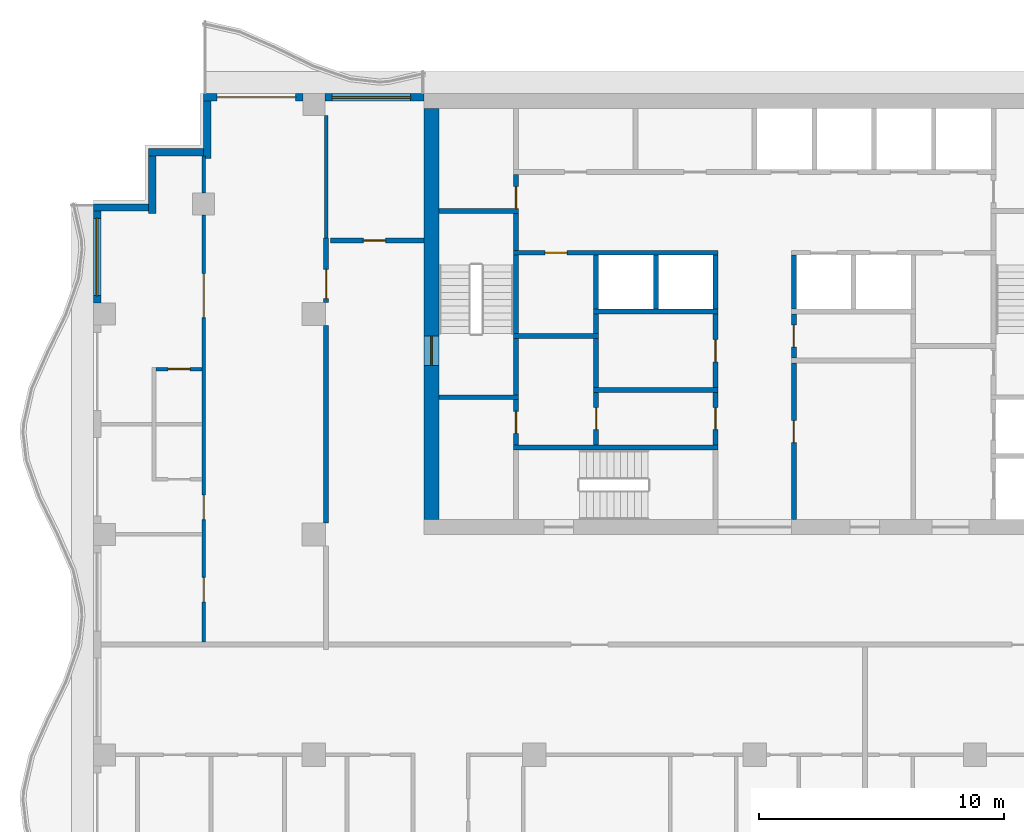
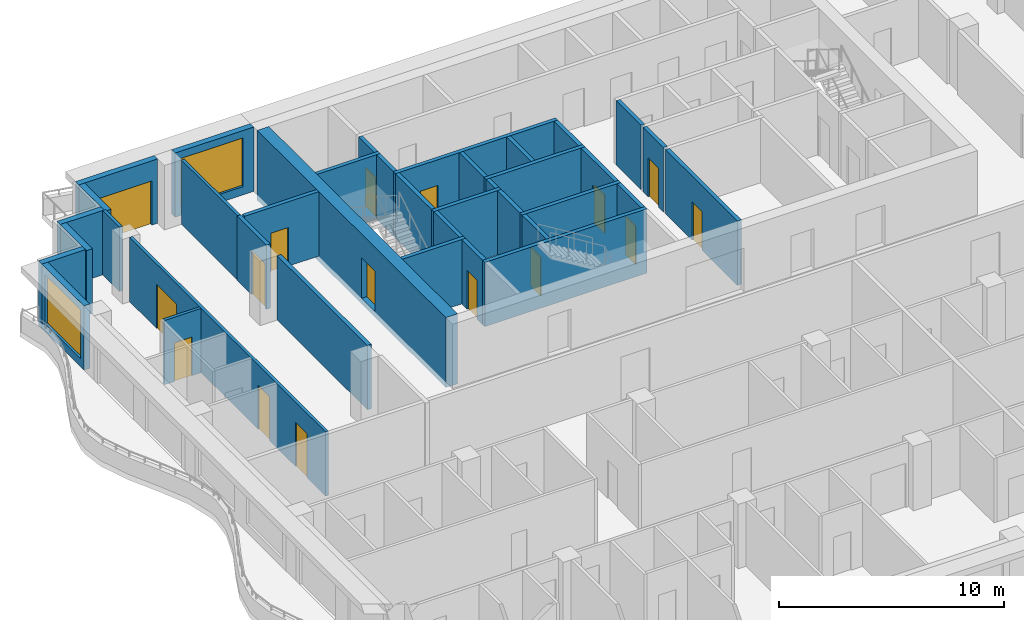
# One storey, part 5 of 11: 38 walls, 16 doors, 2 windows, 18 openings.
"""IFC4 building model written with IfcOpenShell, lengths in metres."""

from ifc_helpers import new_model, si_unit, direction, frame, frame_2d, origin, place, context, subcontext, project, spatial, rectangle, extrude, material, layer, layer_set, type_object, element, fill, save


model = new_model("IFC4")

# Units and contexts
model_context = context("Model", 3, precision=1e-05, world=origin(), true_north=direction((0.0, 1.0)))
body_context = subcontext(model_context, "Body", "Model", "MODEL_VIEW")
ifc_project = project(units=[si_unit("LENGTHUNIT", "METRE"), si_unit("AREAUNIT", "SQUARE_METRE"), si_unit("VOLUMEUNIT", "CUBIC_METRE"), si_unit("PLANEANGLEUNIT", "RADIAN"), si_unit("MASSUNIT", "GRAM", prefix="KILO")], contexts=[model_context])

# Site, building, storey
site_placement = place(None, origin())
site = spatial("IfcSite", under=ifc_project, at=site_placement, CompositionType="ELEMENT")
building_placement = place(site_placement, origin())
building = spatial("IfcBuilding", under=site, at=building_placement, Name="Orbiselva Terraces", CompositionType="ELEMENT")
storey_placement = place(building_placement, frame((0.0, 0.0, 261.6)))
storey = spatial("IfcBuildingStorey", under=building, at=storey_placement, Name="L66", CompositionType="ELEMENT", Elevation=261.6)

# Wall, opening, door
ifc_material_1 = material(Name="Concrete C80/95", Category="concrete")
ifc_layer_1 = layer(ifc_material_1, 0.6)
ifc_layer_set_1 = layer_set([ifc_layer_1], Name="Concrete C80/95")
wall_type_1 = type_object("IfcWallType", Name="CORE WALL 600", PredefinedType="SHEAR", material=ifc_layer_set_1)
wall_1_placement = place(storey_placement, frame((-13.2, 21.9, -0.3), z_axis=(0.0, 0.0, 1.0), x_axis=(0.0, -1.0, 0.0)))
wall_1 = element("IfcWall", 1, at=wall_1_placement, inside=storey, type_object=wall_type_1, Name="Core wall L66 west", PredefinedType="SHEAR", context=body_context, shape_type="SweptSolid", body=[
    extrude(rectangle(XDim=16.8, YDim=0.6, at=frame_2d((8.4, 0.0))), origin(), (0.0, 0.0, 1.0), 3.8),
])
opening_1_placement = place(wall_1_placement, frame((9.3, 0.0, 0.3)))
opening_1 = element("IfcOpeningElement", 2, at=opening_1_placement, cuts=wall_1, Name="Opening DS1200", PredefinedType="OPENING", context=body_context, shape_type="SweptSolid", body=[
    extrude(rectangle(XDim=1.2, YDim=2.2, at=frame_2d((0.6, 1.1))), frame((0.0, 0.31, 0.0), z_axis=(0.0, -1.0, 0.0), x_axis=(1.0, 0.0, 0.0)), (0.0, 0.0, 1.0), 0.62),
])
ifc_material_2 = material(Name="Steel fire door", Category="steel")
door_type_1 = type_object("IfcDoorType", Name="STAIR DOOR 1200", OperationType="NOTDEFINED", PredefinedType="DOOR", material=ifc_material_2)
door_1_placement = place(opening_1_placement, frame((1.2, 0.0, 0.0), z_axis=(0.0, 0.0, 1.0), x_axis=(-1.0, 0.0, 0.0)))
door_1 = element("IfcDoor", 3, at=door_1_placement, inside=storey, type_object=door_type_1, Name="L66 EXIT STAIR S1 door", OperationType="SINGLE_SWING_RIGHT", OverallHeight=2.2, OverallWidth=1.2, PredefinedType="DOOR", context=body_context, shape_type="SweptSolid", body=[
    extrude(rectangle(XDim=1.2, YDim=2.2, at=frame_2d((0.6, 1.1))), frame((0.0, 0.025, 0.0), z_axis=(0.0, -1.0, 0.0), x_axis=(1.0, 0.0, 0.0)), (0.0, 0.0, 1.0), 0.05),
])
fill(opening_1, door_1)

ifc_material_3 = material(Name="Masonry blockwork", Category="masonry")
ifc_layer_2 = layer(ifc_material_3, 0.2)
ifc_layer_set_2 = layer_set([ifc_layer_2], Name="Masonry blockwork")
wall_type_2 = type_object("IfcWallType", Name="CORE-WALL-PARTITION-200", PredefinedType="PARTITIONING", material=ifc_layer_set_2)
wall_2_placement = place(storey_placement, frame((-9.75, 8.15, 0.0), z_axis=(0.0, 0.0, 1.0), x_axis=(0.0, 1.0, 0.0)))
wall_2 = element("IfcWall", 4, at=wall_2_placement, inside=storey, type_object=wall_type_2, Name="L66 core wall 05", PredefinedType="PARTITIONING", context=body_context, shape_type="SweptSolid", body=[
    extrude(rectangle(XDim=1.85, YDim=0.2, at=frame_2d((0.925, 0.0))), origin(), (0.0, 0.0, 1.0), 3.5),
])
opening_2_placement = place(wall_2_placement, frame((0.475, 0.0, 0.0)))
opening_2 = element("IfcOpeningElement", 5, at=opening_2_placement, cuts=wall_2, Name="Opening DR900", PredefinedType="OPENING", context=body_context, shape_type="SweptSolid", body=[
    extrude(rectangle(XDim=0.9, YDim=2.1, at=frame_2d((0.45, 1.05))), frame((0.0, 0.11, 0.0), z_axis=(0.0, -1.0, 0.0), x_axis=(1.0, 0.0, 0.0)), (0.0, 0.0, 1.0), 0.22),
])
door_type_2 = type_object("IfcDoorType", Name="ROOM DOOR 900", OperationType="NOTDEFINED", PredefinedType="DOOR", material=ifc_material_2)
door_2_placement = place(opening_2_placement, origin())
door_2 = element("IfcDoor", 6, at=door_2_placement, inside=storey, type_object=door_type_2, Name="L66 CLEANERS STORE door", OperationType="SINGLE_SWING_RIGHT", OverallHeight=2.1, OverallWidth=0.9, PredefinedType="DOOR", context=body_context, shape_type="SweptSolid", body=[
    extrude(rectangle(XDim=0.9, YDim=2.1, at=frame_2d((0.45, 1.05))), frame((0.0, 0.025, 0.0), z_axis=(0.0, -1.0, 0.0), x_axis=(1.0, 0.0, 0.0)), (0.0, 0.0, 1.0), 0.05),
])
fill(opening_2, door_2)

wall_3_placement = place(storey_placement, frame((-9.75, 17.8, 0.0), z_axis=(0.0, 0.0, 1.0), x_axis=(0.0, 1.0, 0.0)))
wall_3 = element("IfcWall", 7, at=wall_3_placement, inside=storey, type_object=wall_type_2, Name="L66 core wall 11", PredefinedType="PARTITIONING", context=body_context, shape_type="SweptSolid", body=[
    extrude(rectangle(XDim=1.4, YDim=0.2, at=frame_2d((0.7, 0.0))), origin(), (0.0, 0.0, 1.0), 3.5),
])
opening_3_placement = place(wall_3_placement, origin())
opening_3 = element("IfcOpeningElement", 8, at=opening_3_placement, cuts=wall_3, Name="Opening DR900", PredefinedType="OPENING", context=body_context, shape_type="SweptSolid", body=[
    extrude(rectangle(XDim=0.9, YDim=2.1, at=frame_2d((0.45, 1.05))), frame((0.0, 0.11, 0.0), z_axis=(0.0, -1.0, 0.0), x_axis=(1.0, 0.0, 0.0)), (0.0, 0.0, 1.0), 0.22),
])
door_3_placement = place(opening_3_placement, origin())
door_3 = element("IfcDoor", 9, at=door_3_placement, inside=storey, type_object=door_type_2, Name="L66 COMMS RISER ROOM door", OperationType="SINGLE_SWING_LEFT", OverallHeight=2.1, OverallWidth=0.9, PredefinedType="DOOR", context=body_context, shape_type="SweptSolid", body=[
    extrude(rectangle(XDim=0.9, YDim=2.1, at=frame_2d((0.45, 1.05))), frame((0.0, 0.025, 0.0), z_axis=(0.0, -1.0, 0.0), x_axis=(1.0, 0.0, 0.0)), (0.0, 0.0, 1.0), 0.05),
])
fill(opening_3, door_3)

wall_4_placement = place(storey_placement, frame((-6.475, 8.15, 0.0), z_axis=(0.0, 0.0, 1.0), x_axis=(0.0, 1.0, 0.0)))
wall_4 = element("IfcWall", 10, at=wall_4_placement, inside=storey, type_object=wall_type_2, Name="L66 core wall 14", PredefinedType="PARTITIONING", context=body_context, shape_type="SweptSolid", body=[
    extrude(rectangle(XDim=2.15, YDim=0.2, at=frame_2d((1.075, 0.0))), origin(), (0.0, 0.0, 1.0), 3.5),
])
opening_4_placement = place(wall_4_placement, frame((0.625, 0.0, 0.0)))
opening_4 = element("IfcOpeningElement", 11, at=opening_4_placement, cuts=wall_4, Name="Opening DR900", PredefinedType="OPENING", context=body_context, shape_type="SweptSolid", body=[
    extrude(rectangle(XDim=0.9, YDim=2.1, at=frame_2d((0.45, 1.05))), frame((0.0, 0.11, 0.0), z_axis=(0.0, -1.0, 0.0), x_axis=(1.0, 0.0, 0.0)), (0.0, 0.0, 1.0), 0.22),
])
door_4_placement = place(opening_4_placement, origin())
door_4 = element("IfcDoor", 12, at=door_4_placement, inside=storey, type_object=door_type_2, Name="L66 STAFF ROOM door", OperationType="SINGLE_SWING_LEFT", OverallHeight=2.1, OverallWidth=0.9, PredefinedType="DOOR", context=body_context, shape_type="SweptSolid", body=[
    extrude(rectangle(XDim=0.9, YDim=2.1, at=frame_2d((0.45, 1.05))), frame((0.0, 0.025, 0.0), z_axis=(0.0, -1.0, 0.0), x_axis=(1.0, 0.0, 0.0)), (0.0, 0.0, 1.0), 0.05),
])
fill(opening_4, door_4)

# Walls
wall_5_placement = place(storey_placement, frame((-6.475, 10.5, 0.0), z_axis=(0.0, 0.0, 1.0), x_axis=(0.0, 1.0, 0.0)))
element("IfcWall", 13, at=wall_5_placement, inside=storey, type_object=wall_type_2, Name="L66 core wall 16", PredefinedType="PARTITIONING", context=body_context, shape_type="SweptSolid", body=[
    extrude(rectangle(XDim=2.0, YDim=0.2, at=frame_2d((1.0, 0.0))), origin(), (0.0, 0.0, 1.0), 3.5),
])
wall_6_placement = place(storey_placement, frame((-6.475, 12.7, 0.0), z_axis=(0.0, 0.0, 1.0), x_axis=(0.0, 1.0, 0.0)))
element("IfcWall", 14, at=wall_6_placement, inside=storey, type_object=wall_type_2, Name="L66 core wall 17", PredefinedType="PARTITIONING", context=body_context, shape_type="SweptSolid", body=[
    extrude(rectangle(XDim=0.8, YDim=0.2, at=frame_2d((0.4, 0.0))), origin(), (0.0, 0.0, 1.0), 3.5),
])

# Wall, opening, door
wall_7_placement = place(storey_placement, frame((-1.6, 8.15, 0.0), z_axis=(0.0, 0.0, 1.0), x_axis=(0.0, 1.0, 0.0)))
wall_7 = element("IfcWall", 15, at=wall_7_placement, inside=storey, type_object=wall_type_2, Name="L66 core wall 23", PredefinedType="PARTITIONING", context=body_context, shape_type="SweptSolid", body=[
    extrude(rectangle(XDim=2.15, YDim=0.2, at=frame_2d((1.075, 0.0))), origin(), (0.0, 0.0, 1.0), 3.5),
])
opening_5_placement = place(wall_7_placement, frame((0.625, 0.0, 0.0)))
opening_5 = element("IfcOpeningElement", 16, at=opening_5_placement, cuts=wall_7, Name="Opening DR900", PredefinedType="OPENING", context=body_context, shape_type="SweptSolid", body=[
    extrude(rectangle(XDim=0.9, YDim=2.1, at=frame_2d((0.45, 1.05))), frame((0.0, 0.11, 0.0), z_axis=(0.0, -1.0, 0.0), x_axis=(1.0, 0.0, 0.0)), (0.0, 0.0, 1.0), 0.22),
])
door_5_placement = place(opening_5_placement, origin())
door_5 = element("IfcDoor", 17, at=door_5_placement, inside=storey, type_object=door_type_2, Name="L66 SERVICE PANTRY door", OperationType="SINGLE_SWING_LEFT", OverallHeight=2.1, OverallWidth=0.9, PredefinedType="DOOR", context=body_context, shape_type="SweptSolid", body=[
    extrude(rectangle(XDim=0.9, YDim=2.1, at=frame_2d((0.45, 1.05))), frame((0.0, 0.025, 0.0), z_axis=(0.0, -1.0, 0.0), x_axis=(1.0, 0.0, 0.0)), (0.0, 0.0, 1.0), 0.05),
])
fill(opening_5, door_5)

wall_8_placement = place(storey_placement, frame((-1.6, 10.5, 0.0), z_axis=(0.0, 0.0, 1.0), x_axis=(0.0, 1.0, 0.0)))
wall_8 = element("IfcWall", 18, at=wall_8_placement, inside=storey, type_object=wall_type_2, Name="L66 core wall 24", PredefinedType="PARTITIONING", context=body_context, shape_type="SweptSolid", body=[
    extrude(rectangle(XDim=3.0, YDim=0.2, at=frame_2d((1.5, 0.0))), origin(), (0.0, 0.0, 1.0), 3.5),
])
opening_6_placement = place(wall_8_placement, frame((1.05, 0.0, 0.0)))
opening_6 = element("IfcOpeningElement", 19, at=opening_6_placement, cuts=wall_8, Name="Opening DR900", PredefinedType="OPENING", context=body_context, shape_type="SweptSolid", body=[
    extrude(rectangle(XDim=0.9, YDim=2.1, at=frame_2d((0.45, 1.05))), frame((0.0, 0.11, 0.0), z_axis=(0.0, -1.0, 0.0), x_axis=(1.0, 0.0, 0.0)), (0.0, 0.0, 1.0), 0.22),
])
door_6_placement = place(opening_6_placement, origin())
door_6 = element("IfcDoor", 20, at=door_6_placement, inside=storey, type_object=door_type_2, Name="L66 LINEN STORE door", OperationType="SINGLE_SWING_RIGHT", OverallHeight=2.1, OverallWidth=0.9, PredefinedType="DOOR", context=body_context, shape_type="SweptSolid", body=[
    extrude(rectangle(XDim=0.9, YDim=2.1, at=frame_2d((0.45, 1.05))), frame((0.0, 0.025, 0.0), z_axis=(0.0, -1.0, 0.0), x_axis=(1.0, 0.0, 0.0)), (0.0, 0.0, 1.0), 0.05),
])
fill(opening_6, door_6)

wall_9_placement = place(storey_placement, frame((1.6, 13.5, 0.0), z_axis=(0.0, 0.0, 1.0), x_axis=(0.0, -1.0, 0.0)))
wall_9 = element("IfcWall", 21, at=wall_9_placement, inside=storey, type_object=wall_type_2, Name="L66 core wall 29", PredefinedType="PARTITIONING", context=body_context, shape_type="SweptSolid", body=[
    extrude(rectangle(XDim=1.8, YDim=0.2, at=frame_2d((0.9, 0.0))), origin(), (0.0, 0.0, 1.0), 3.5),
])
opening_7_placement = place(wall_9_placement, frame((0.45, 0.0, 0.0)))
opening_7 = element("IfcOpeningElement", 22, at=opening_7_placement, cuts=wall_9, Name="Opening DR900", PredefinedType="OPENING", context=body_context, shape_type="SweptSolid", body=[
    extrude(rectangle(XDim=0.9, YDim=2.1, at=frame_2d((0.45, 1.05))), frame((0.0, 0.11, 0.0), z_axis=(0.0, -1.0, 0.0), x_axis=(1.0, 0.0, 0.0)), (0.0, 0.0, 1.0), 0.22),
])
door_7_placement = place(opening_7_placement, origin())
door_7 = element("IfcDoor", 23, at=door_7_placement, inside=storey, type_object=door_type_2, Name="L66 IT ROOM door", OperationType="SINGLE_SWING_LEFT", OverallHeight=2.1, OverallWidth=0.9, PredefinedType="DOOR", context=body_context, shape_type="SweptSolid", body=[
    extrude(rectangle(XDim=0.9, YDim=2.1, at=frame_2d((0.45, 1.05))), frame((0.0, 0.025, 0.0), z_axis=(0.0, -1.0, 0.0), x_axis=(1.0, 0.0, 0.0)), (0.0, 0.0, 1.0), 0.05),
])
fill(opening_7, door_7)

# Walls
ifc_material_4 = material(Name="Concrete C40/50", Category="concrete")
ifc_layer_3 = layer(ifc_material_4, 0.2)
ifc_layer_set_3 = layer_set([ifc_layer_3], Name="Concrete C40/50")
wall_type_3 = type_object("IfcWallType", Name="CORE-WALL-SHAFT-200", PredefinedType="PARTITIONING", material=ifc_layer_set_3)
for number, where, z_axis, x_axis, name in (
    (24, (-6.475, 13.7, 0.0), (0.0, 0.0, 1.0), (0.0, 1.0, 0.0), "L66 core wall 19"),
    (25, (-4.0375, 13.7, 0.0), (0.0, 0.0, 1.0), (0.0, 1.0, 0.0), "L66 core wall 21"),
    (26, (-1.6, 13.7, 0.0), (0.0, 0.0, 1.0), (0.0, 1.0, 0.0), "L66 core wall 25"),
    (27, (1.6, 13.7, 0.0), (0.0, 0.0, 1.0), (0.0, 1.0, 0.0), "L66 core wall 31"),
):
    element("IfcWall", number, at=place(storey_placement, frame(where, z_axis=z_axis, x_axis=x_axis)), inside=storey, type_object=wall_type_3, Name=name, PredefinedType="PARTITIONING", context=body_context, shape_type="SweptSolid", body=[
        extrude(rectangle(XDim=2.2, YDim=0.2, at=frame_2d((1.1, 0.0))), origin(), (0.0, 0.0, 1.0), 3.5),
    ])
ifc_material_5 = material(Name="Concrete C60/75", Category="concrete")
ifc_layer_4 = layer(ifc_material_5, 0.2)
ifc_layer_set_4 = layer_set([ifc_layer_4], Name="Concrete C60/75")
wall_type_4 = type_object("IfcWallType", Name="CORE-WALL-SHEAR-200", PredefinedType="SHEAR", material=ifc_layer_set_4)
for number, where, z_axis, x_axis, name in (
    (28, (-12.9, 10.1, 0.0), (0.0, 0.0, 1.0), (1.0, 0.0, 0.0), "L66 core wall 01"),
    (29, (-12.9, 17.7, 0.0), (0.0, 0.0, 1.0), (1.0, 0.0, 0.0), "L66 core wall 02"),
):
    element("IfcWall", number, at=place(storey_placement, frame(where, z_axis=z_axis, x_axis=x_axis)), inside=storey, type_object=wall_type_4, Name=name, PredefinedType="SHEAR", context=body_context, shape_type="SweptSolid", body=[
        extrude(rectangle(XDim=3.25, YDim=0.2, at=frame_2d((1.625, 0.0))), origin(), (0.0, 0.0, 1.0), 3.5),
    ])
wall_10_placement = place(storey_placement, frame((-9.85, 8.05, 0.0), z_axis=(0.0, 0.0, 1.0), x_axis=(1.0, 0.0, 0.0)))
element("IfcWall", 30, at=wall_10_placement, inside=storey, type_object=wall_type_4, Name="L66 core wall 04", PredefinedType="SHEAR", context=body_context, shape_type="SweptSolid", body=[
    extrude(rectangle(XDim=8.35, YDim=0.2, at=frame_2d((4.175, 0.0))), origin(), (0.0, 0.0, 1.0), 3.5),
])
wall_11_placement = place(storey_placement, frame((-9.75, 10.2, 0.0), z_axis=(0.0, 0.0, 1.0), x_axis=(0.0, 1.0, 0.0)))
element("IfcWall", 31, at=wall_11_placement, inside=storey, type_object=wall_type_4, Name="L66 core wall 06", PredefinedType="SHEAR", context=body_context, shape_type="SweptSolid", body=[
    extrude(rectangle(XDim=2.3, YDim=0.2, at=frame_2d((1.15, 0.0))), origin(), (0.0, 0.0, 1.0), 3.5),
])
wall_12_placement = place(storey_placement, frame((-9.85, 12.6, 0.0), z_axis=(0.0, 0.0, 1.0), x_axis=(1.0, 0.0, 0.0)))
element("IfcWall", 32, at=wall_12_placement, inside=storey, type_object=wall_type_4, Name="L66 core wall 07", PredefinedType="SHEAR", context=body_context, shape_type="SweptSolid", body=[
    extrude(rectangle(XDim=3.475, YDim=0.2, at=frame_2d((1.7375, 0.0))), origin(), (0.0, 0.0, 1.0), 3.5),
])
wall_13_placement = place(storey_placement, frame((-9.75, 12.7, 0.0), z_axis=(0.0, 0.0, 1.0), x_axis=(0.0, 1.0, 0.0)))
element("IfcWall", 33, at=wall_13_placement, inside=storey, type_object=wall_type_4, Name="L66 core wall 08", PredefinedType="SHEAR", context=body_context, shape_type="SweptSolid", body=[
    extrude(rectangle(XDim=3.2, YDim=0.2, at=frame_2d((1.6, 0.0))), origin(), (0.0, 0.0, 1.0), 3.5),
])

# Wall, opening, door
wall_14_placement = place(storey_placement, frame((-1.5, 16.0, 0.0), z_axis=(0.0, 0.0, 1.0), x_axis=(-1.0, 0.0, 0.0)))
wall_14 = element("IfcWall", 34, at=wall_14_placement, inside=storey, type_object=wall_type_4, Name="L66 core wall 09", PredefinedType="SHEAR", context=body_context, shape_type="SweptSolid", body=[
    extrude(rectangle(XDim=8.35, YDim=0.2, at=frame_2d((4.175, 0.0))), origin(), (0.0, 0.0, 1.0), 3.5),
])
opening_8_placement = place(wall_14_placement, frame((6.1625, 0.0, 0.0)))
opening_8 = element("IfcOpeningElement", 35, at=opening_8_placement, cuts=wall_14, Name="Opening DR900", PredefinedType="OPENING", context=body_context, shape_type="SweptSolid", body=[
    extrude(rectangle(XDim=0.9, YDim=2.1, at=frame_2d((0.45, 1.05))), frame((0.0, 0.11, 0.0), z_axis=(0.0, -1.0, 0.0), x_axis=(1.0, 0.0, 0.0)), (0.0, 0.0, 1.0), 0.22),
])
door_8_placement = place(opening_8_placement, origin())
door_8 = element("IfcDoor", 36, at=door_8_placement, inside=storey, type_object=door_type_2, Name="L66 IT ROOM door", OperationType="SINGLE_SWING_RIGHT", OverallHeight=2.1, OverallWidth=0.9, PredefinedType="DOOR", context=body_context, shape_type="SweptSolid", body=[
    extrude(rectangle(XDim=0.9, YDim=2.1, at=frame_2d((0.45, 1.05))), frame((0.0, 0.025, 0.0), z_axis=(0.0, -1.0, 0.0), x_axis=(1.0, 0.0, 0.0)), (0.0, 0.0, 1.0), 0.05),
])
fill(opening_8, door_8)

# Walls
wall_15_placement = place(storey_placement, frame((-9.75, 16.1, 0.0), z_axis=(0.0, 0.0, 1.0), x_axis=(0.0, 1.0, 0.0)))
element("IfcWall", 37, at=wall_15_placement, inside=storey, type_object=wall_type_4, Name="L66 core wall 10", PredefinedType="SHEAR", context=body_context, shape_type="SweptSolid", body=[
    extrude(rectangle(XDim=1.5, YDim=0.2, at=frame_2d((0.75, 0.0))), origin(), (0.0, 0.0, 1.0), 3.5),
])
for number, where, z_axis, x_axis, name in (
    (38, (-6.575, 10.4, 0.0), (0.0, 0.0, 1.0), (1.0, 0.0, 0.0), "L66 core wall 15"),
    (39, (-6.575, 13.6, 0.0), (0.0, 0.0, 1.0), (1.0, 0.0, 0.0), "L66 core wall 18"),
):
    element("IfcWall", number, at=place(storey_placement, frame(where, z_axis=z_axis, x_axis=x_axis)), inside=storey, type_object=wall_type_4, Name=name, PredefinedType="SHEAR", context=body_context, shape_type="SweptSolid", body=[
        extrude(rectangle(XDim=5.075, YDim=0.2, at=frame_2d((2.5375, 0.0))), origin(), (0.0, 0.0, 1.0), 3.5),
    ])

# Wall, opening, door
wall_16_placement = place(storey_placement, frame((1.6, 11.5, 0.0), z_axis=(0.0, 0.0, 1.0), x_axis=(0.0, -1.0, 0.0)))
wall_16 = element("IfcWall", 40, at=wall_16_placement, inside=storey, type_object=wall_type_4, Name="L66 core wall 27", PredefinedType="SHEAR", context=body_context, shape_type="SweptSolid", body=[
    extrude(rectangle(XDim=6.4, YDim=0.2, at=frame_2d((3.2, 0.0))), origin(), (0.0, 0.0, 1.0), 3.5),
])
opening_9_placement = place(wall_16_placement, frame((2.35, 0.0, 0.0)))
opening_9 = element("IfcOpeningElement", 41, at=opening_9_placement, cuts=wall_16, Name="Opening DR900", PredefinedType="OPENING", context=body_context, shape_type="SweptSolid", body=[
    extrude(rectangle(XDim=0.9, YDim=2.1, at=frame_2d((0.45, 1.05))), frame((0.0, 0.11, 0.0), z_axis=(0.0, -1.0, 0.0), x_axis=(1.0, 0.0, 0.0)), (0.0, 0.0, 1.0), 0.22),
])
door_9_placement = place(opening_9_placement, origin())
door_9 = element("IfcDoor", 42, at=door_9_placement, inside=storey, type_object=door_type_2, Name="L66 SERVICE ROOM door", OperationType="SINGLE_SWING_LEFT", OverallHeight=2.1, OverallWidth=0.9, PredefinedType="DOOR", context=body_context, shape_type="SweptSolid", body=[
    extrude(rectangle(XDim=0.9, YDim=2.1, at=frame_2d((0.45, 1.05))), frame((0.0, 0.025, 0.0), z_axis=(0.0, -1.0, 0.0), x_axis=(1.0, 0.0, 0.0)), (0.0, 0.0, 1.0), 0.05),
])
fill(opening_9, door_9)

# Wall, opening, window
ifc_material_6 = material(Name="Terracotta cladding on masonry backing", Category="masonry")
ifc_layer_5 = layer(ifc_material_6, 0.3)
ifc_layer_set_5 = layer_set([ifc_layer_5], Name="Terracotta cladding on masonry backing")
wall_type_5 = type_object("IfcWallType", Name="ENV-WALL-TERRACOTTA-300", PredefinedType="SOLIDWALL", material=ifc_layer_set_5)
wall_17_placement = place(storey_placement, frame((-17.55, 22.35, 0.0), z_axis=(0.0, 0.0, 1.0), x_axis=(1.0, 0.0, 0.0)))
wall_17 = element("IfcWall", 43, at=wall_17_placement, inside=storey, type_object=wall_type_5, Name="Facade wall L66 NW", PredefinedType="SOLIDWALL", context=body_context, shape_type="SweptSolid", body=[
    extrude(rectangle(XDim=4.05, YDim=0.3, at=frame_2d((2.025, 0.0))), origin(), (0.0, 0.0, 1.0), 3.5),
])
opening_10_placement = place(wall_17_placement, frame((0.3, 0.0, 0.45)))
opening_10 = element("IfcOpeningElement", 44, at=opening_10_placement, cuts=wall_17, Name="Opening WN17", PredefinedType="OPENING", context=body_context, shape_type="SweptSolid", body=[
    extrude(rectangle(XDim=3.2, YDim=2.65, at=frame_2d((1.6, 1.325))), frame((0.0, 0.16, 0.0), z_axis=(0.0, -1.0, 0.0), x_axis=(1.0, 0.0, 0.0)), (0.0, 0.0, 1.0), 0.32),
])
ifc_material_7 = material(Name="Clear low-e glazing in aluminium frame", Category="aluminium")
window_type_1 = type_object("IfcWindowType", Name="WINDOW 3200 X 2650 S450", PartitioningType="TRIPLE_PANEL_VERTICAL", PredefinedType="WINDOW", material=ifc_material_7)
window_1_placement = place(opening_10_placement, origin())
window_1 = element("IfcWindow", 45, at=window_1_placement, inside=storey, type_object=window_type_1, Name="Window L66 NW", OverallHeight=2.65, OverallWidth=3.2, PartitioningType="SINGLE_PANEL", PredefinedType="WINDOW", context=body_context, shape_type="SweptSolid", body=[
    extrude(rectangle(XDim=3.2, YDim=2.65, at=frame_2d((1.6, 1.325))), frame((0.0, 0.03, 0.0), z_axis=(0.0, -1.0, 0.0), x_axis=(1.0, 0.0, 0.0)), (0.0, 0.0, 1.0), 0.06),
])
fill(opening_10, window_1)

# Wall, opening, door
wall_18_placement = place(storey_placement, frame((-22.5, 22.35, 0.0), z_axis=(0.0, 0.0, 1.0), x_axis=(1.0, 0.0, 0.0)))
wall_18 = element("IfcWall", 46, at=wall_18_placement, inside=storey, type_object=wall_type_5, Name="Facade wall L66 NW", PredefinedType="SOLIDWALL", context=body_context, shape_type="SweptSolid", body=[
    extrude(rectangle(XDim=4.05, YDim=0.3, at=frame_2d((2.025, 0.0))), origin(), (0.0, 0.0, 1.0), 3.5),
])
opening_11_placement = place(wall_18_placement, frame((0.55, 0.0, 0.0)))
opening_11 = element("IfcOpeningElement", 47, at=opening_11_placement, cuts=wall_18, Name="Opening Z5-C-E09", PredefinedType="OPENING", context=body_context, shape_type="SweptSolid", body=[
    extrude(rectangle(XDim=3.2, YDim=2.4, at=frame_2d((1.6, 1.2))), frame((0.0, 0.16, 0.0), z_axis=(0.0, -1.0, 0.0), x_axis=(1.0, 0.0, 0.0)), (0.0, 0.0, 1.0), 0.32),
])
door_type_3 = type_object("IfcDoorType", Name="BALCONY DOOR 3200 X 2400", OperationType="DOUBLE_DOOR_SLIDING", PredefinedType="DOOR", material=ifc_material_7)
door_10_placement = place(opening_11_placement, origin())
door_10 = element("IfcDoor", 48, at=door_10_placement, inside=storey, type_object=door_type_3, Name="Z5-C-E09", OperationType="SINGLE_SWING_LEFT", OverallHeight=2.4, OverallWidth=3.2, PredefinedType="DOOR", context=body_context, shape_type="SweptSolid", body=[
    extrude(rectangle(XDim=3.2, YDim=2.4, at=frame_2d((1.6, 1.2))), frame((0.0, 0.025, 0.0), z_axis=(0.0, -1.0, 0.0), x_axis=(1.0, 0.0, 0.0)), (0.0, 0.0, 1.0), 0.05),
])
fill(opening_11, door_10)

# Walls
wall_19_placement = place(storey_placement, frame((-22.35, 19.85, 0.0), z_axis=(0.0, 0.0, 1.0), x_axis=(0.0, 1.0, 0.0)))
element("IfcWall", 49, at=wall_19_placement, inside=storey, type_object=wall_type_5, Name="Facade wall L66 STEP", PredefinedType="SOLIDWALL", context=body_context, shape_type="SweptSolid", body=[
    extrude(rectangle(XDim=2.35, YDim=0.3, at=frame_2d((1.175, 0.0))), origin(), (0.0, 0.0, 1.0), 3.5),
])
wall_20_placement = place(storey_placement, frame((-24.75, 20.1, 0.0), z_axis=(0.0, 0.0, 1.0), x_axis=(1.0, 0.0, 0.0)))
element("IfcWall", 50, at=wall_20_placement, inside=storey, type_object=wall_type_5, Name="Facade wall L66 STEP", PredefinedType="SOLIDWALL", context=body_context, shape_type="SweptSolid", body=[
    extrude(rectangle(XDim=2.25, YDim=0.3, at=frame_2d((1.125, 0.0))), origin(), (0.0, 0.0, 1.0), 3.5),
])
wall_21_placement = place(storey_placement, frame((-24.6, 17.6, 0.0), z_axis=(0.0, 0.0, 1.0), x_axis=(0.0, 1.0, 0.0)))
element("IfcWall", 51, at=wall_21_placement, inside=storey, type_object=wall_type_5, Name="Facade wall L66 STEP", PredefinedType="SOLIDWALL", context=body_context, shape_type="SweptSolid", body=[
    extrude(rectangle(XDim=2.35, YDim=0.3, at=frame_2d((1.175, 0.0))), origin(), (0.0, 0.0, 1.0), 3.5),
])
wall_22_placement = place(storey_placement, frame((-27.0, 17.85, 0.0), z_axis=(0.0, 0.0, 1.0), x_axis=(1.0, 0.0, 0.0)))
element("IfcWall", 52, at=wall_22_placement, inside=storey, type_object=wall_type_5, Name="Facade wall L66 STEP", PredefinedType="SOLIDWALL", context=body_context, shape_type="SweptSolid", body=[
    extrude(rectangle(XDim=2.25, YDim=0.3, at=frame_2d((1.125, 0.0))), origin(), (0.0, 0.0, 1.0), 3.5),
])

# Wall, opening, window
wall_23_placement = place(storey_placement, frame((-26.85, 13.95, 0.0), z_axis=(0.0, 0.0, 1.0), x_axis=(0.0, 1.0, 0.0)))
wall_23 = element("IfcWall", 53, at=wall_23_placement, inside=storey, type_object=wall_type_5, Name="Facade wall L66 W", PredefinedType="SOLIDWALL", context=body_context, shape_type="SweptSolid", body=[
    extrude(rectangle(XDim=3.75, YDim=0.3, at=frame_2d((1.875, 0.0))), origin(), (0.0, 0.0, 1.0), 3.5),
])
opening_12_placement = place(wall_23_placement, frame((0.3, 0.0, 0.45)))
opening_12 = element("IfcOpeningElement", 54, at=opening_12_placement, cuts=wall_23, Name="Opening WN16", PredefinedType="OPENING", context=body_context, shape_type="SweptSolid", body=[
    extrude(rectangle(XDim=3.15, YDim=2.65, at=frame_2d((1.575, 1.325))), frame((0.0, 0.16, 0.0), z_axis=(0.0, -1.0, 0.0), x_axis=(1.0, 0.0, 0.0)), (0.0, 0.0, 1.0), 0.32),
])
window_type_2 = type_object("IfcWindowType", Name="WINDOW 3150 X 2650 S450", PartitioningType="TRIPLE_PANEL_VERTICAL", PredefinedType="WINDOW", material=ifc_material_7)
window_2_placement = place(opening_12_placement, origin())
window_2 = element("IfcWindow", 55, at=window_2_placement, inside=storey, type_object=window_type_2, Name="Window L66 W", OverallHeight=2.65, OverallWidth=3.15, PartitioningType="SINGLE_PANEL", PredefinedType="WINDOW", context=body_context, shape_type="SweptSolid", body=[
    extrude(rectangle(XDim=3.15, YDim=2.65, at=frame_2d((1.575, 1.325))), frame((0.0, 0.03, 0.0), z_axis=(0.0, -1.0, 0.0), x_axis=(1.0, 0.0, 0.0)), (0.0, 0.0, 1.0), 0.06),
])
fill(opening_12, window_2)

# Wall, opening, door
ifc_material_8 = material(Name="Plasterboard on steel stud partition", Category="steel")
ifc_layer_6 = layer(ifc_material_8, 0.2)
ifc_layer_set_6 = layer_set([ifc_layer_6], Name="Plasterboard on steel stud partition")
wall_type_6 = type_object("IfcWallType", Name="UNIT-ENTRANCE-WALL-200", PredefinedType="PARTITIONING", material=ifc_layer_set_6)
wall_24_placement = place(storey_placement, frame((-17.325, 16.5, 0.0), z_axis=(0.0, 0.0, 1.0), x_axis=(1.0, 0.0, 0.0)))
wall_24 = element("IfcWall", 56, at=wall_24_placement, inside=storey, type_object=wall_type_6, Name="PARTITION L66-041", PredefinedType="PARTITIONING", context=body_context, shape_type="SweptSolid", body=[
    extrude(rectangle(XDim=3.825, YDim=0.2, at=frame_2d((1.9125, 0.0))), origin(), (0.0, 0.0, 1.0), 3.5),
])
opening_13_placement = place(wall_24_placement, frame((1.35, 0.0, 0.0)))
opening_13 = element("IfcOpeningElement", 57, at=opening_13_placement, cuts=wall_24, Name="Opening Z5-C-01", PredefinedType="OPENING", context=body_context, shape_type="SweptSolid", body=[
    extrude(rectangle(XDim=0.9, YDim=2.1, at=frame_2d((0.45, 1.05))), frame((0.0, 0.11, 0.0), z_axis=(0.0, -1.0, 0.0), x_axis=(1.0, 0.0, 0.0)), (0.0, 0.0, 1.0), 0.22),
])
ifc_material_9 = material(Name="Painted timber door leaf", Category="wood")
door_type_4 = type_object("IfcDoorType", Name="SERVICE DOOR 900", OperationType="NOTDEFINED", PredefinedType="DOOR", material=ifc_material_9)
door_11_placement = place(opening_13_placement, origin())
door_11 = element("IfcDoor", 58, at=door_11_placement, inside=storey, type_object=door_type_4, Name="Z5-C-01", OperationType="SINGLE_SWING_LEFT", OverallHeight=2.1, OverallWidth=0.9, PredefinedType="DOOR", context=body_context, shape_type="SweptSolid", body=[
    extrude(rectangle(XDim=0.9, YDim=2.1, at=frame_2d((0.45, 1.05))), frame((0.0, 0.025, 0.0), z_axis=(0.0, -1.0, 0.0), x_axis=(1.0, 0.0, 0.0)), (0.0, 0.0, 1.0), 0.05),
])
fill(opening_13, door_11)

# Wall
wall_25_placement = place(storey_placement, frame((-17.5, 4.975, 0.0), z_axis=(0.0, 0.0, 1.0), x_axis=(0.0, 1.0, 0.0)))
element("IfcWall", 59, at=wall_25_placement, inside=storey, type_object=wall_type_6, Name="PARTITION L66-054", PredefinedType="PARTITIONING", context=body_context, shape_type="SweptSolid", body=[
    extrude(rectangle(XDim=8.05, YDim=0.2, at=frame_2d((4.025, 0.0))), origin(), (0.0, 0.0, 1.0), 3.5),
])

# Wall, opening, door
wall_26_placement = place(storey_placement, frame((-17.5, 13.975, 0.0), z_axis=(0.0, 0.0, 1.0), x_axis=(0.0, 1.0, 0.0)))
wall_26 = element("IfcWall", 60, at=wall_26_placement, inside=storey, type_object=wall_type_6, Name="PARTITION L66-055", PredefinedType="PARTITIONING", context=body_context, shape_type="SweptSolid", body=[
    extrude(rectangle(XDim=2.625, YDim=0.2, at=frame_2d((1.3125, 0.0))), origin(), (0.0, 0.0, 1.0), 3.5),
])
opening_14_placement = place(wall_26_placement, frame((0.15, 0.0, 0.0)))
opening_14 = element("IfcOpeningElement", 61, at=opening_14_placement, cuts=wall_26, Name="Opening Z5-C-03", PredefinedType="OPENING", context=body_context, shape_type="SweptSolid", body=[
    extrude(rectangle(XDim=1.2, YDim=2.4, at=frame_2d((0.6, 1.2))), frame((0.0, 0.11, 0.0), z_axis=(0.0, -1.0, 0.0), x_axis=(1.0, 0.0, 0.0)), (0.0, 0.0, 1.0), 0.22),
])
door_type_5 = type_object("IfcDoorType", Name="ENTRANCE DOOR 1200", OperationType="NOTDEFINED", PredefinedType="DOOR", material=ifc_material_9)
door_12_placement = place(opening_14_placement, origin())
door_12 = element("IfcDoor", 62, at=door_12_placement, inside=storey, type_object=door_type_5, Name="Z5-C-03", OperationType="SINGLE_SWING_LEFT", OverallHeight=2.4, OverallWidth=1.2, PredefinedType="DOOR", context=body_context, shape_type="SweptSolid", body=[
    extrude(rectangle(XDim=1.2, YDim=2.4, at=frame_2d((0.6, 1.2))), frame((0.0, 0.025, 0.0), z_axis=(0.0, -1.0, 0.0), x_axis=(1.0, 0.0, 0.0)), (0.0, 0.0, 1.0), 0.05),
])
fill(opening_14, door_12)

ifc_layer_7 = layer(ifc_material_8, 0.15)
ifc_layer_set_7 = layer_set([ifc_layer_7], Name="Plasterboard on steel stud partition")
wall_type_7 = type_object("IfcWallType", Name="UNIT-PARTITION-150", PredefinedType="PARTITIONING", material=ifc_layer_set_7)
wall_27_placement = place(storey_placement, frame((-22.575, 11.25, 0.0), z_axis=(0.0, 0.0, 1.0), x_axis=(-1.0, 0.0, 0.0)))
wall_27 = element("IfcWall", 63, at=wall_27_placement, inside=storey, type_object=wall_type_7, Name="PARTITION L66-038", PredefinedType="PARTITIONING", context=body_context, shape_type="SweptSolid", body=[
    extrude(rectangle(XDim=1.875, YDim=0.15, at=frame_2d((0.9375, 0.0))), origin(), (0.0, 0.0, 1.0), 3.5),
])
opening_15_placement = place(wall_27_placement, frame((0.475, 0.0, 0.0)))
opening_15 = element("IfcOpeningElement", 64, at=opening_15_placement, cuts=wall_27, Name="Opening Z5-C-08", PredefinedType="OPENING", context=body_context, shape_type="SweptSolid", body=[
    extrude(rectangle(XDim=0.9, YDim=2.1, at=frame_2d((0.45, 1.05))), frame((0.0, 0.085, 0.0), z_axis=(0.0, -1.0, 0.0), x_axis=(1.0, 0.0, 0.0)), (0.0, 0.0, 1.0), 0.17),
])
door_type_6 = type_object("IfcDoorType", Name="BATH DOOR 900", OperationType="NOTDEFINED", PredefinedType="DOOR", material=ifc_material_9)
door_13_placement = place(opening_15_placement, origin())
door_13 = element("IfcDoor", 65, at=door_13_placement, inside=storey, type_object=door_type_6, Name="Z5-C-08", OperationType="SINGLE_SWING_LEFT", OverallHeight=2.1, OverallWidth=0.9, PredefinedType="DOOR", context=body_context, shape_type="SweptSolid", body=[
    extrude(rectangle(XDim=0.9, YDim=2.1, at=frame_2d((0.45, 1.05))), frame((0.0, 0.025, 0.0), z_axis=(0.0, -1.0, 0.0), x_axis=(1.0, 0.0, 0.0)), (0.0, 0.0, 1.0), 0.05),
])
fill(opening_15, door_13)

# Wall, openings, doors
wall_28_placement = place(storey_placement, frame((-22.5, 0.1, 0.0), z_axis=(0.0, 0.0, 1.0), x_axis=(0.0, 1.0, 0.0)))
wall_28 = element("IfcWall", 66, at=wall_28_placement, inside=storey, type_object=wall_type_7, Name="PARTITION L66-047", PredefinedType="PARTITIONING", context=body_context, shape_type="SweptSolid", body=[
    extrude(rectangle(XDim=17.45, YDim=0.15, at=frame_2d((8.725, 0.0))), origin(), (0.0, 0.0, 1.0), 3.5),
])
opening_16_placement = place(wall_28_placement, frame((1.65, 0.0, 0.0)))
opening_16 = element("IfcOpeningElement", 67, at=opening_16_placement, cuts=wall_28, Name="Opening Z5-C-04", PredefinedType="OPENING", context=body_context, shape_type="SweptSolid", body=[
    extrude(rectangle(XDim=1.0, YDim=2.4, at=frame_2d((0.5, 1.2))), frame((0.0, 0.085, 0.0), z_axis=(0.0, -1.0, 0.0), x_axis=(1.0, 0.0, 0.0)), (0.0, 0.0, 1.0), 0.17),
])
opening_17_placement = place(wall_28_placement, frame((5.0, 0.0, 0.0)))
opening_17 = element("IfcOpeningElement", 68, at=opening_17_placement, cuts=wall_28, Name="Opening Z5-C-05", PredefinedType="OPENING", context=body_context, shape_type="SweptSolid", body=[
    extrude(rectangle(XDim=1.0, YDim=2.4, at=frame_2d((0.5, 1.2))), frame((0.0, 0.085, 0.0), z_axis=(0.0, -1.0, 0.0), x_axis=(1.0, 0.0, 0.0)), (0.0, 0.0, 1.0), 0.17),
])
opening_18_placement = place(wall_28_placement, frame((13.25, 0.0, 0.0)))
opening_18 = element("IfcOpeningElement", 69, at=opening_18_placement, cuts=wall_28, Name="Opening Z5-C-07", PredefinedType="OPENING", context=body_context, shape_type="SweptSolid", body=[
    extrude(rectangle(XDim=1.8, YDim=2.4, at=frame_2d((0.9, 1.2))), frame((0.0, 0.085, 0.0), z_axis=(0.0, -1.0, 0.0), x_axis=(1.0, 0.0, 0.0)), (0.0, 0.0, 1.0), 0.17),
])
door_type_7 = type_object("IfcDoorType", Name="DOUBLE DOOR 1800", OperationType="NOTDEFINED", PredefinedType="DOOR", material=ifc_material_9)
door_14_placement = place(opening_18_placement, origin())
door_14 = element("IfcDoor", 70, at=door_14_placement, inside=storey, type_object=door_type_7, Name="Z5-C-07", OperationType="DOUBLE_DOOR_SINGLE_SWING", OverallHeight=2.4, OverallWidth=1.8, PredefinedType="DOOR", context=body_context, shape_type="SweptSolid", body=[
    extrude(rectangle(XDim=1.8, YDim=2.4, at=frame_2d((0.9, 1.2))), frame((0.0, 0.025, 0.0), z_axis=(0.0, -1.0, 0.0), x_axis=(1.0, 0.0, 0.0)), (0.0, 0.0, 1.0), 0.05),
])
fill(opening_18, door_14)
door_type_8 = type_object("IfcDoorType", Name="ROOM DOOR 1000", OperationType="NOTDEFINED", PredefinedType="DOOR", material=ifc_material_9)
door_15_placement = place(opening_16_placement, origin())
door_15 = element("IfcDoor", 71, at=door_15_placement, inside=storey, type_object=door_type_8, Name="Z5-C-04", OperationType="SINGLE_SWING_LEFT", OverallHeight=2.4, OverallWidth=1.0, PredefinedType="DOOR", context=body_context, shape_type="SweptSolid", body=[
    extrude(rectangle(XDim=1.0, YDim=2.4, at=frame_2d((0.5, 1.2))), frame((0.0, 0.025, 0.0), z_axis=(0.0, -1.0, 0.0), x_axis=(1.0, 0.0, 0.0)), (0.0, 0.0, 1.0), 0.05),
])
fill(opening_16, door_15)
door_16_placement = place(opening_17_placement, origin())
door_16 = element("IfcDoor", 72, at=door_16_placement, inside=storey, type_object=door_type_8, Name="Z5-C-05", OperationType="SINGLE_SWING_LEFT", OverallHeight=2.4, OverallWidth=1.0, PredefinedType="DOOR", context=body_context, shape_type="SweptSolid", body=[
    extrude(rectangle(XDim=1.0, YDim=2.4, at=frame_2d((0.5, 1.2))), frame((0.0, 0.025, 0.0), z_axis=(0.0, -1.0, 0.0), x_axis=(1.0, 0.0, 0.0)), (0.0, 0.0, 1.0), 0.05),
])
fill(opening_17, door_16)

# Walls
wall_29_placement = place(storey_placement, frame((-22.5, 18.45, 0.0), z_axis=(0.0, 0.0, 1.0), x_axis=(0.0, 1.0, 0.0)))
element("IfcWall", 73, at=wall_29_placement, inside=storey, type_object=wall_type_7, Name="PARTITION L66-048", PredefinedType="PARTITIONING", context=body_context, shape_type="SweptSolid", body=[
    extrude(rectangle(XDim=1.5, YDim=0.15, at=frame_2d((0.75, 0.0))), origin(), (0.0, 0.0, 1.0), 3.5),
])
wall_30_placement = place(storey_placement, frame((-17.5, 16.4, 0.0), z_axis=(0.0, 0.0, 1.0), x_axis=(0.0, 1.0, 0.0)))
element("IfcWall", 74, at=wall_30_placement, inside=storey, type_object=wall_type_7, Name="PARTITION L66-056", PredefinedType="PARTITIONING", context=body_context, shape_type="SweptSolid", body=[
    extrude(rectangle(XDim=5.2, YDim=0.15, at=frame_2d((2.6, 0.0))), origin(), (0.0, 0.0, 1.0), 3.5),
])

save(model, "model.ifc")
